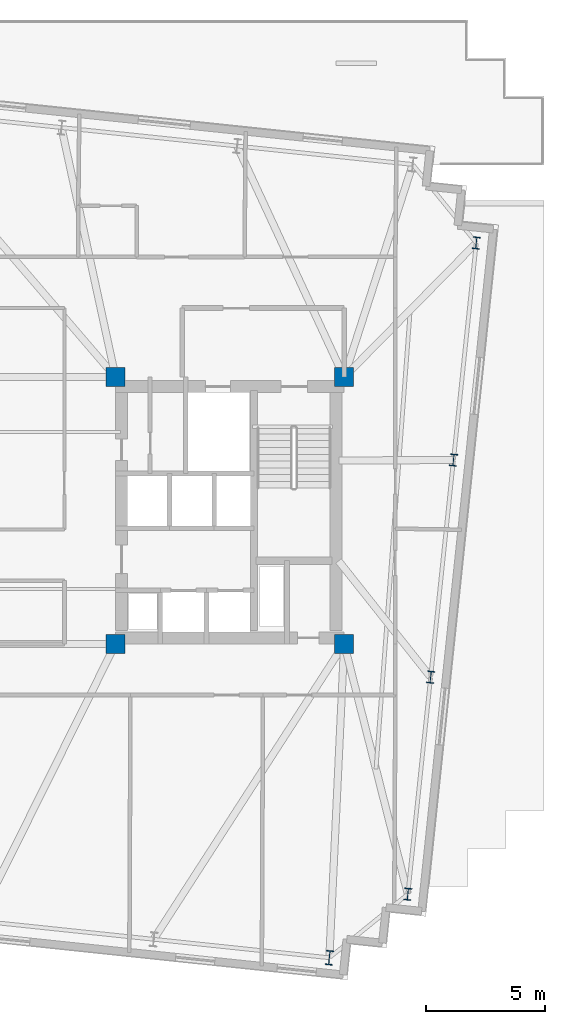
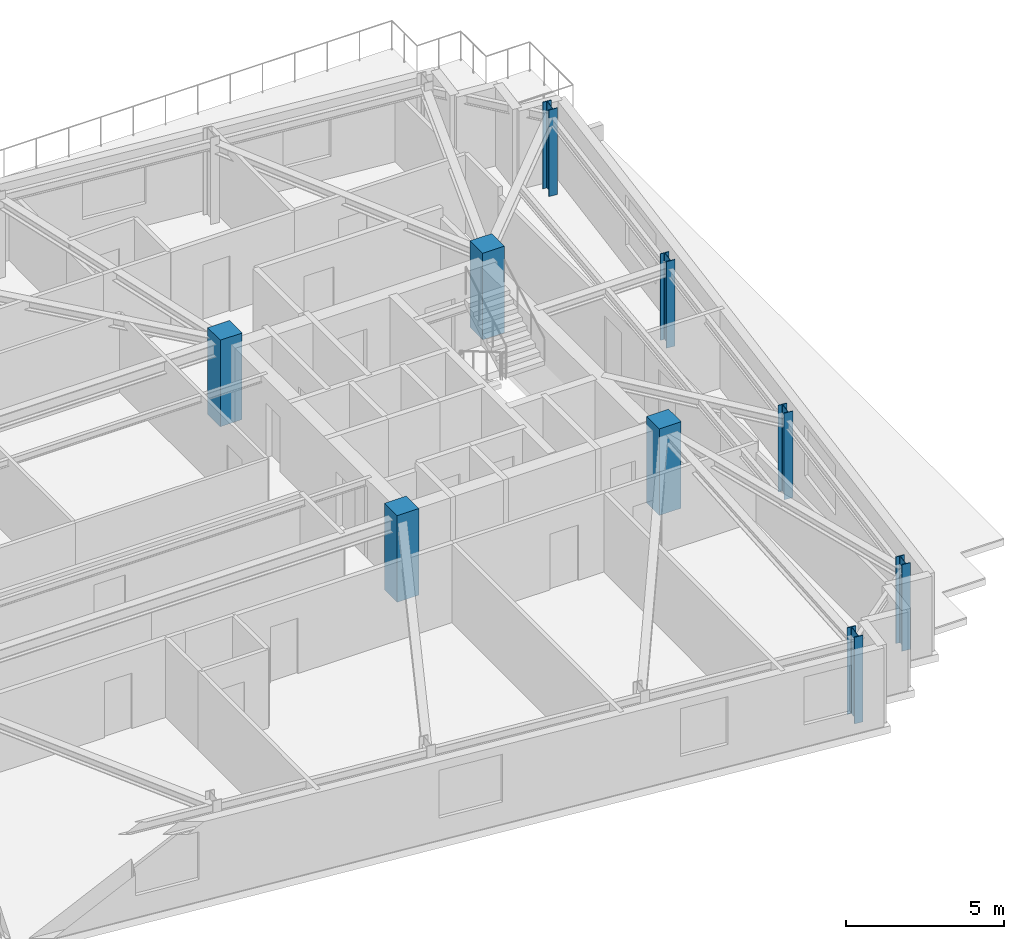
# One storey, part 2 of 13: 9 columns.
"""IFC4 building model written with IfcOpenShell, lengths in metres."""

from ifc_helpers import new_model, si_unit, direction, frame, origin, origin_2d, place, context, subcontext, project, spatial, rectangle, i_section, extrude, material, material_profile, profile_set, type_object, element, save


model = new_model("IFC4")

# Units and contexts
model_context = context("Model", 3, precision=1e-05, world=origin(), true_north=direction((0.0, 1.0)))
body_context = subcontext(model_context, "Body", "Model", "MODEL_VIEW")
ifc_project = project(units=[si_unit("LENGTHUNIT", "METRE"), si_unit("AREAUNIT", "SQUARE_METRE"), si_unit("VOLUMEUNIT", "CUBIC_METRE"), si_unit("PLANEANGLEUNIT", "RADIAN"), si_unit("MASSUNIT", "GRAM", prefix="KILO")], contexts=[model_context])

# Site, building, storey
site_placement = place(None, origin())
site = spatial("IfcSite", under=ifc_project, at=site_placement, CompositionType="ELEMENT")
building_placement = place(site_placement, origin())
building = spatial("IfcBuilding", under=site, at=building_placement, Name="Qobustan Lattice House", CompositionType="ELEMENT")
storey_placement = place(building_placement, frame((0.0, 0.0, 179.64990234375)))
storey = spatial("IfcBuildingStorey", under=building, at=storey_placement, Name="L50", CompositionType="ELEMENT", Elevation=179.64990234375)

# Columns
ifc_material_1 = material(Name="Concrete C50/60", Category="concrete")
ifc_material_profile_1 = material_profile(ifc_material_1, rectangle(XDim=0.800048828125, YDim=0.800048828125, at=origin_2d()), Name="RC800x800")
ifc_profile_set_1 = profile_set([ifc_material_profile_1], Name="Concrete C50/60")
column_type_1 = type_object("IfcColumnType", Name="COL-RC-800", PredefinedType="COLUMN", material=ifc_profile_set_1)
for number, where, z_axis, x_axis, name in (
    (1, (9.199951171875, -5.60009765625, 0.0), (0.0, 0.0, 1.0), (1.0, 0.0, 0.0), "L50 core mega-column CE-SW"),
    (2, (9.199951171875, 5.60009765625, 0.0), (0.0, 0.0, 1.0), (1.0, 0.0, 0.0), "L50 core mega-column CE-NW"),
    (3, (18.800048828125, -5.60009765625, 0.0), (0.0, 0.0, 1.0), (1.0, 0.0, 0.0), "L50 core mega-column CE-SE"),
    (4, (18.800048828125, 5.60009765625, 0.0), (0.0, 0.0, 1.0), (1.0, 0.0, 0.0), "L50 core mega-column CE-NE"),
):
    element("IfcColumn", number, at=place(storey_placement, frame(where, z_axis=z_axis, x_axis=x_axis)), inside=storey, type_object=column_type_1, Name=name, PredefinedType="COLUMN", context=body_context, shape_type="SweptSolid", body=[
        extrude(rectangle(XDim=0.800048828125, YDim=0.800048828125, at=origin_2d()), origin(), (0.0, 0.0, 1.0), 3.35009765625),
    ])
ifc_material_2 = material(Name="Steel S355", Category="steel")
ifc_material_profile_2 = material_profile(ifc_material_2, i_section(OverallWidth=0.300048828125, OverallDepth=0.5, WebThickness=0.014404296875, FlangeThickness=0.028076171875, FilletRadius=0.027099609375, at=origin_2d()), Name="HEB500")
ifc_profile_set_2 = profile_set([ifc_material_profile_2], Name="Steel S355")
column_type_2 = type_object("IfcColumnType", Name="COL-ST-HEB500", PredefinedType="COLUMN", material=ifc_profile_set_2)
for number, where, z_axis, x_axis, name in (
    (5, (21.474365234375, -16.114013671875, 0.0), (0.0, 0.0, 1.0), (0.994521895368, -0.104528463268, 0.0), "L50 B4 perimeter column E1"),
    (6, (22.4326171875, -6.99755859375, 0.0), (0.0, 0.0, 1.0), (0.994521895368, -0.104528463268, 0.0), "L50 B4 perimeter column E2"),
    (7, (23.390869140625, 2.118896484375, 0.0), (0.0, 0.0, 1.0), (0.994521895368, -0.104528463268, 0.0), "L50 B4 perimeter column E3"),
    (8, (24.348876953125, 11.2353515625, 0.0), (0.0, 0.0, 1.0), (0.994521895368, -0.104528463268, 0.0), "L50 B4 perimeter column E4"),
):
    element("IfcColumn", number, at=place(storey_placement, frame(where, z_axis=z_axis, x_axis=x_axis)), inside=storey, type_object=column_type_2, Name=name, PredefinedType="COLUMN", context=body_context, shape_type="SweptSolid", body=[
        extrude(i_section(OverallWidth=0.300048828125, OverallDepth=0.5, WebThickness=0.014404296875, FlangeThickness=0.028076171875, FilletRadius=0.027099609375, at=origin_2d()), origin(), (0.0, 0.0, 1.0), 3.35009765625),
    ])
ifc_material_3 = material(Name="Steel S355", Category="steel")
ifc_material_profile_3 = material_profile(ifc_material_3, i_section(OverallWidth=0.300048828125, OverallDepth=0.60009765625, WebThickness=0.015380859375, FlangeThickness=0.030029296875, FilletRadius=0.027099609375, at=origin_2d()), Name="HEB600")
ifc_profile_set_3 = profile_set([ifc_material_profile_3], Name="Steel S355")
column_type_3 = type_object("IfcColumnType", Name="COL-ST-HEB600", PredefinedType="COLUMN", material=ifc_profile_set_3)
column_placement = place(storey_placement, frame((18.17724609375, -18.783935546875, 0.0), z_axis=(0.0, 0.0, 1.0), x_axis=(0.994521895368, -0.104528463268, 0.0)))
element("IfcColumn", 9, at=column_placement, inside=storey, type_object=column_type_3, Name="L50 B4 perimeter column S7", PredefinedType="COLUMN", context=body_context, shape_type="SweptSolid", body=[
    extrude(i_section(OverallWidth=0.300048828125, OverallDepth=0.60009765625, WebThickness=0.015380859375, FlangeThickness=0.030029296875, FilletRadius=0.027099609375, at=origin_2d()), origin(), (0.0, 0.0, 1.0), 3.35009765625),
])

save(model, "model.ifc")
